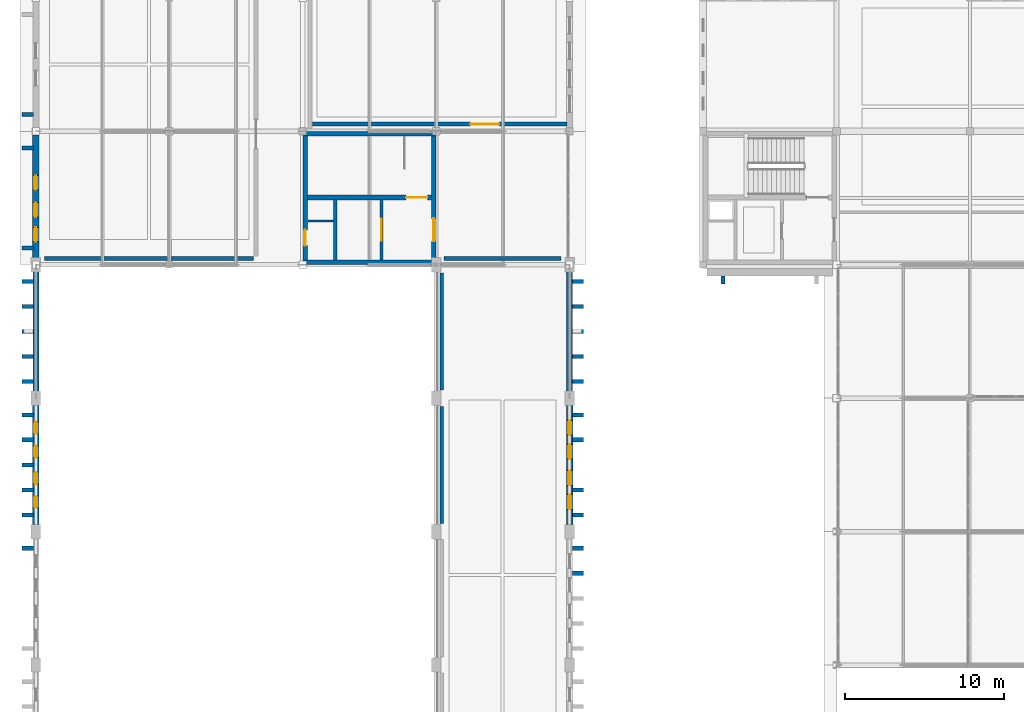
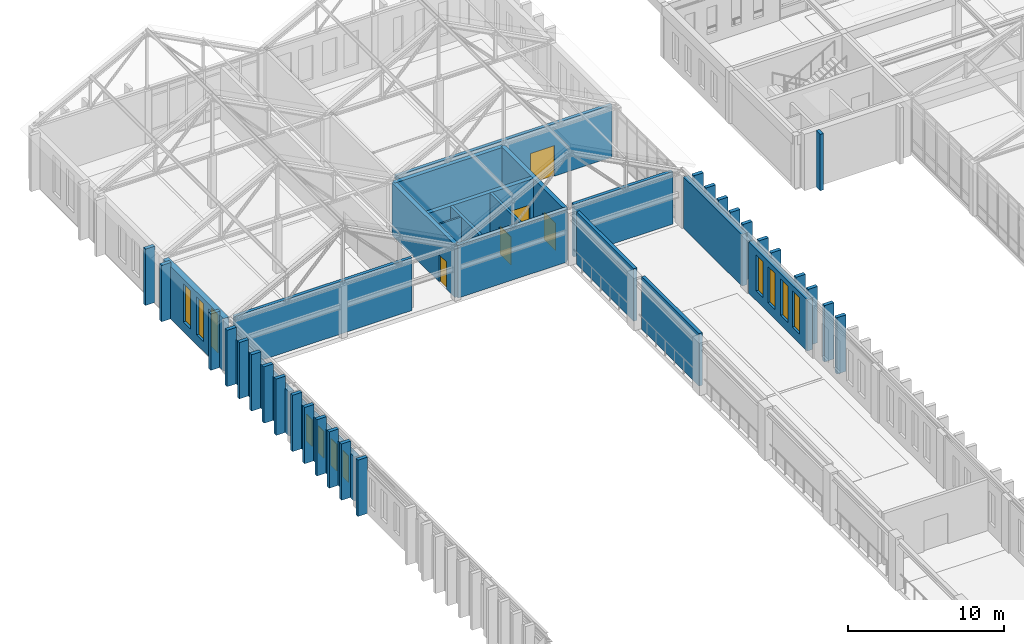
# One storey, part 165 of 192: 44 walls, 11 windows, 5 doors, 16 openings.
"""IFC4 building model written with IfcOpenShell, lengths in metres."""

import ifcopenshell
import ifcopenshell.guid

model = None  # the IFC model being written
_history = None  # IfcOwnerHistory: only IFC2X3 demands one
_inside = {}  # id of a spatial element -> (the spatial element, [elements in it])
_under = {}  # id of a project, library or spatial element -> (it, [spatial elements below it])
_declared = {}  # id of a project -> (the project, [libraries it declares])
_typed = {}  # id of a type object -> (the type object, [elements of that type])
_made_of = {}  # id of a material, layer set ... -> (it, [elements and type objects made of it])


def new_model(schema):
    """Start an empty IFC model of exactly this schema.

    Asked for "IFC4X3", IfcOpenShell would pick the latest addendum, in which some entities
    have other attributes; the version numbers below select the first issue.
    IFC2X3 requires an IfcOwnerHistory on every rooted entity: one is made here for all.
    """
    global model, _history
    if schema == "IFC4X3":
        model = ifcopenshell.file(schema_version=(4, 3, 0, 0))
    else:
        model = ifcopenshell.file(schema=schema)
    _inside.clear()
    _under.clear()
    _declared.clear()
    _typed.clear()
    _made_of.clear()
    _history = None
    if model.schema == "IFC2X3":
        org = make("IfcOrganization", Name="unknown")
        user = make(
            "IfcPersonAndOrganization",
            ThePerson=make("IfcPerson", FamilyName="unknown"),
            TheOrganization=org,
        )
        app = make(
            "IfcApplication",
            ApplicationDeveloper=org,
            Version="unknown",
            ApplicationFullName="unknown",
            ApplicationIdentifier="unknown",
        )
        _history = make(
            "IfcOwnerHistory",
            OwningUser=user,
            OwningApplication=app,
            ChangeAction="ADDED",
            CreationDate=0,
        )
    return model


def make(cls, **values):
    """One entity of the class cls with the attributes given. An attribute that is None is left unset."""
    return model.create_entity(
        cls, **{name: value for name, value in values.items() if value is not None}
    )


def rooted(cls, **values):
    """An entity with a GlobalId (a new one), such as an element, a storey or a relation."""
    return make(cls, GlobalId=ifcopenshell.guid.new(), OwnerHistory=_history, **values)


def si_unit(unit_type, name, prefix=None):
    """IfcSIUnit, for example si_unit("LENGTHUNIT", "METRE", prefix="MILLI")."""
    return make("IfcSIUnit", UnitType=unit_type, Prefix=prefix, Name=name)


def assignment(units):
    """IfcUnitAssignment: the units of a project."""
    return None if units is None else make("IfcUnitAssignment", Units=units)


def point(xyz):
    """IfcCartesianPoint."""
    return None if xyz is None else make("IfcCartesianPoint", Coordinates=xyz)


def direction(xyz):
    """IfcDirection."""
    return None if xyz is None else make("IfcDirection", DirectionRatios=xyz)


def frame(location, z_axis=None, x_axis=None):
    """IfcAxis2Placement3D, a coordinate frame: its origin and axes. An axis left out is left unset."""
    return make(
        "IfcAxis2Placement3D",
        Location=point(location),
        Axis=direction(z_axis),
        RefDirection=direction(x_axis),
    )


def frame_2d(location, x_axis=None):
    """IfcAxis2Placement2D, a coordinate frame in the plane: its origin and x axis."""
    return make(
        "IfcAxis2Placement2D", Location=point(location), RefDirection=direction(x_axis)
    )


def origin():
    """The frame at (0, 0, 0) with its axes left unset."""
    return frame((0.0, 0.0, 0.0))


def place(relative_to, where):
    """IfcLocalPlacement: puts the frame where relative to a parent placement (None: the world)."""
    return make(
        "IfcLocalPlacement", PlacementRelTo=relative_to, RelativePlacement=where
    )


def context(
    kind, dimensions, precision=None, world=None, true_north=None, identifier=None
):
    """IfcGeometricRepresentationContext, for example the 3D "Model" context."""
    return make(
        "IfcGeometricRepresentationContext",
        ContextIdentifier=identifier,
        ContextType=kind,
        CoordinateSpaceDimension=dimensions,
        Precision=precision,
        WorldCoordinateSystem=world,
        TrueNorth=true_north,
    )


def subcontext(parent, identifier, kind, view, scale=None):
    """IfcGeometricRepresentationSubContext, for example "Body" below "Model"."""
    return make(
        "IfcGeometricRepresentationSubContext",
        ContextIdentifier=identifier,
        ContextType=kind,
        ParentContext=parent,
        TargetScale=scale,
        TargetView=view,
    )


def project(units=None, contexts=None):
    """IfcProject with its units and contexts."""
    return rooted(
        "IfcProject",
        Name="project",
        RepresentationContexts=contexts,
        UnitsInContext=assignment(units),
    )


def spatial(cls, under=None, at=None, **own):
    """A site, building, storey or space (cls), placed at a placement, below another one or the project."""
    s = rooted(cls, ObjectPlacement=at, **own)
    if under is not None:
        _under.setdefault(under.id(), (under, []))[1].append(s)
    return s


def profile(cls, at=None, kind="AREA", **sizes):
    """A parametric profile (cls). Its sizes go by their IFC names, for example OverallWidth=200.0."""
    return make(cls, ProfileType=kind, Position=at, **sizes)


def rectangle(**sizes):
    """IfcRectangleProfileDef."""
    return profile("IfcRectangleProfileDef", **sizes)


def extrude(swept, where, along, depth):
    """IfcExtrudedAreaSolid: the profile swept, set in the frame where, extruded along a direction by depth."""
    return make(
        "IfcExtrudedAreaSolid",
        SweptArea=swept,
        Position=where,
        ExtrudedDirection=direction(along),
        Depth=depth,
    )


def shape(context_of_items, identifier, shape_type, items):
    """IfcShapeRepresentation: the items that make up one representation, for example the "Body"."""
    return make(
        "IfcShapeRepresentation",
        ContextOfItems=context_of_items,
        RepresentationIdentifier=identifier,
        RepresentationType=shape_type,
        Items=items,
    )


def material(Name=None, Category=None):
    """IfcMaterial."""
    return make("IfcMaterial", Name=Name, Category=Category)


def layer(
    of_material, thickness, ventilated=None, Name=None, Category=None, Priority=None
):
    """IfcMaterialLayer: one layer of a wall or slab, of a material (None: an air gap)."""
    return make(
        "IfcMaterialLayer",
        Material=of_material,
        LayerThickness=thickness,
        IsVentilated=ventilated,
        Name=Name,
        Category=Category,
        Priority=Priority,
    )


def layer_set(layers, Name=None):
    """IfcMaterialLayerSet."""
    return make("IfcMaterialLayerSet", MaterialLayers=layers, LayerSetName=Name)


def made_of(thing, what):
    """Note that an element or type object is made of a material, layer set ...; save() writes the relation."""
    if what is not None:
        _made_of.setdefault(what.id(), (what, []))[1].append(thing)
    return thing


def type_object(cls, material=None, **own):
    """A type object (cls), such as IfcWallType, which elements share."""
    return made_of(rooted(cls, **own), material)


def element(
    cls,
    number,
    at=None,
    inside=None,
    cuts=None,
    type_object=None,
    material=None,
    context=None,
    identifier="Body",
    shape_type=None,
    held_by="IfcProductDefinitionShape",
    body=None,
    shapes=None,
    **own,
):
    """One element of the class cls, such as IfcWall. Its Tag is "e" and its number.

    at: its placement. inside: the storey or other place that contains it. cuts: it is an
    opening in that element (IfcRelVoidsElement). A single representation is given by context,
    identifier, shape_type and body (its items); several are given by shapes. held_by: the class
    of the entity that holds the representations. save() writes the other relations.
    """
    e = rooted(cls, Tag="e%d" % number, ObjectPlacement=at, **own)
    if body is not None:
        shapes = [shape(context, identifier, shape_type, body)]
    if shapes is not None:
        e.Representation = make(held_by, Representations=shapes)
    if inside is not None:
        _inside.setdefault(inside.id(), (inside, []))[1].append(e)
    if cuts is not None:
        rooted(
            "IfcRelVoidsElement", RelatingBuildingElement=cuts, RelatedOpeningElement=e
        )
    if type_object is not None:
        _typed.setdefault(type_object.id(), (type_object, []))[1].append(e)
    return made_of(e, material)


def fill(opening, filler):
    """IfcRelFillsElement: the door or window that sits in an opening."""
    return rooted(
        "IfcRelFillsElement",
        RelatingOpeningElement=opening,
        RelatedBuildingElement=filler,
    )


def aggregate(whole, parts):
    """IfcRelAggregates: a whole, such as a stair, and the parts it consists of."""
    return rooted("IfcRelAggregates", RelatingObject=whole, RelatedObjects=parts)


def save(model, path):
    """Write the relations noted so far, then the file.

    IfcRelAggregates (storeys below a building ...), IfcRelContainedInSpatialStructure (elements
    in a storey), IfcRelDefinesByType, IfcRelAssociatesMaterial and IfcRelDeclares: one each for
    every whole, place, type object, material and project.
    """
    for whole, parts in _under.values():
        aggregate(whole, parts)
    for where, things in _inside.values():
        rooted(
            "IfcRelContainedInSpatialStructure",
            RelatedElements=things,
            RelatingStructure=where,
        )
    for kind, things in _typed.values():
        rooted("IfcRelDefinesByType", RelatedObjects=things, RelatingType=kind)
    for what, things in _made_of.values():
        rooted("IfcRelAssociatesMaterial", RelatedObjects=things, RelatingMaterial=what)
    for by, libraries in _declared.values():
        rooted("IfcRelDeclares", RelatingContext=by, RelatedDefinitions=libraries)
    model.write(path)


model = new_model("IFC4")

# Units and contexts
model_context = context("Model", 3, precision=1e-05, world=origin(), true_north=direction((0.0, 1.0)))
body_context = subcontext(model_context, "Body", "Model", "MODEL_VIEW")
ifc_project = project(units=[si_unit("LENGTHUNIT", "METRE"), si_unit("AREAUNIT", "SQUARE_METRE"), si_unit("VOLUMEUNIT", "CUBIC_METRE"), si_unit("PLANEANGLEUNIT", "RADIAN"), si_unit("MASSUNIT", "GRAM", prefix="KILO")], contexts=[model_context])

# Site, building, storey
site_placement = place(None, origin())
site = spatial("IfcSite", under=ifc_project, at=site_placement, CompositionType="ELEMENT")
building_placement = place(site_placement, origin())
building = spatial("IfcBuilding", under=site, at=building_placement, Name="Kveldsbrygga Polytechnic", CompositionType="ELEMENT")
storey_placement = place(building_placement, frame((0.0, 0.0, 5.43994140625)))
storey = spatial("IfcBuildingStorey", under=building, at=storey_placement, Name="L01", CompositionType="ELEMENT", Elevation=5.43994140625)

# Walls
ifc_material_1 = material(Name="Fired clay brick masonry M10", Category="masonry")
ifc_layer_1 = layer(ifc_material_1, 0.3798828125)
ifc_layer_set_1 = layer_set([ifc_layer_1], Name="Fired clay brick masonry M10")
wall_type_1 = type_object("IfcWallType", Name="EW-BRICK-380", PredefinedType="SOLIDWALL", material=ifc_layer_set_1)
wall_1_placement = place(storey_placement, frame((0.0, 76.034912109375, 0.0), z_axis=(0.0, 0.0, 1.0), x_axis=(0.0, 1.0, 0.0)))
element("IfcWall", 1, at=wall_1_placement, inside=storey, type_object=wall_type_1, Name="Exterior Brick Wall EW-L01-Y-00-09", PredefinedType="SOLIDWALL", context=body_context, shape_type="SweptSolid", body=[
    extrude(rectangle(XDim=7.530029296875, YDim=0.3798828125, at=frame_2d((3.76513671875, 0.0))), origin(), (0.0, 0.0, 1.0), 3.4599609375),
])
wall_2_placement = place(storey_placement, frame((33.60009765625, 76.034912109375, 0.0), z_axis=(0.0, 0.0, 1.0), x_axis=(0.0, 1.0, 0.0)))
element("IfcWall", 2, at=wall_2_placement, inside=storey, type_object=wall_type_1, Name="Exterior Brick Wall EW-L01-Y-04-09", PredefinedType="SOLIDWALL", context=body_context, shape_type="SweptSolid", body=[
    extrude(rectangle(XDim=7.530029296875, YDim=0.3798828125, at=frame_2d((3.76513671875, 0.0))), origin(), (0.0, 0.0, 1.0), 4.02001953125),
])

# Wall, openings, windows
ifc_layer_2 = layer(ifc_material_1, 0.39990234375)
ifc_layer_set_2 = layer_set([ifc_layer_2], Name="Fired clay brick masonry M10")
wall_type_2 = type_object("IfcWallType", Name="EW-BRICK-400", PredefinedType="SOLIDWALL", material=ifc_layer_set_2)
wall_3_placement = place(storey_placement, frame((0.0, 67.635009765625, 0.0), z_axis=(0.0, 0.0, 1.0), x_axis=(0.0, 1.0, 0.0)))
wall_3 = element("IfcWall", 3, at=wall_3_placement, inside=storey, type_object=wall_type_2, Name="Exterior Brick Wall EW-L01-Y-00-08", PredefinedType="SOLIDWALL", context=body_context, shape_type="SweptSolid", body=[
    extrude(rectangle(XDim=7.530029296875, YDim=0.39990234375, at=frame_2d((3.76513671875, 0.0))), origin(), (0.0, 0.0, 1.0), 3.4599609375),
])
opening_1_placement = place(wall_3_placement, frame((1.0556640625, 0.0, 0.75)))
opening_1 = element("IfcOpeningElement", 4, at=opening_1_placement, cuts=wall_3, Name="Opening W-27", PredefinedType="OPENING", context=body_context, shape_type="SweptSolid", body=[
    extrude(rectangle(XDim=0.75, YDim=2.10009765625, at=frame_2d((0.375, 1.050048828125))), frame((0.0, 0.2099609375, 0.0), z_axis=(0.0, -1.0, 0.0), x_axis=(1.0, 0.0, 0.0)), (0.0, 0.0, 1.0), 0.419921875),
])
opening_2_placement = place(wall_3_placement, frame((2.561767578125, 0.0, 0.75)))
opening_2 = element("IfcOpeningElement", 5, at=opening_2_placement, cuts=wall_3, Name="Opening W-27", PredefinedType="OPENING", context=body_context, shape_type="SweptSolid", body=[
    extrude(rectangle(XDim=0.75, YDim=2.10009765625, at=frame_2d((0.375, 1.050048828125))), frame((0.0, 0.2099609375, 0.0), z_axis=(0.0, -1.0, 0.0), x_axis=(1.0, 0.0, 0.0)), (0.0, 0.0, 1.0), 0.419921875),
])
opening_3_placement = place(wall_3_placement, frame((4.21826171875, 0.0, 0.75)))
opening_3 = element("IfcOpeningElement", 6, at=opening_3_placement, cuts=wall_3, Name="Opening W-27", PredefinedType="OPENING", context=body_context, shape_type="SweptSolid", body=[
    extrude(rectangle(XDim=0.75, YDim=2.10009765625, at=frame_2d((0.375, 1.050048828125))), frame((0.0, 0.2099609375, 0.0), z_axis=(0.0, -1.0, 0.0), x_axis=(1.0, 0.0, 0.0)), (0.0, 0.0, 1.0), 0.419921875),
])
opening_4_placement = place(wall_3_placement, frame((5.724365234375, 0.0, 0.75)))
opening_4 = element("IfcOpeningElement", 7, at=opening_4_placement, cuts=wall_3, Name="Opening W-27", PredefinedType="OPENING", context=body_context, shape_type="SweptSolid", body=[
    extrude(rectangle(XDim=0.75, YDim=2.10009765625, at=frame_2d((0.375, 1.050048828125))), frame((0.0, 0.2099609375, 0.0), z_axis=(0.0, -1.0, 0.0), x_axis=(1.0, 0.0, 0.0)), (0.0, 0.0, 1.0), 0.419921875),
])
ifc_material_2 = material(Name="Insulated triple low-E glass", Category="glass")
window_type_1 = type_object("IfcWindowType", Name="WN-ATTIC-075x210", PartitioningType="DOUBLE_PANEL_VERTICAL", PredefinedType="WINDOW", material=ifc_material_2)
window_1_placement = place(opening_1_placement, origin())
window_1 = element("IfcWindow", 8, at=window_1_placement, inside=storey, type_object=window_type_1, Name="Gothic Lancet Window WIN-L01-Y-00-08-1", OverallHeight=2.10009765625, OverallWidth=0.75, PartitioningType="DOUBLE_PANEL_VERTICAL", PredefinedType="WINDOW", context=body_context, shape_type="SweptSolid", body=[
    extrude(rectangle(XDim=0.75, YDim=2.10009765625, at=frame_2d((0.375, 1.050048828125))), frame((0.0, 0.030029296875, 0.0), z_axis=(0.0, -1.0, 0.0), x_axis=(1.0, 0.0, 0.0)), (0.0, 0.0, 1.0), 0.06005859375),
])
fill(opening_1, window_1)
window_2_placement = place(opening_2_placement, origin())
window_2 = element("IfcWindow", 9, at=window_2_placement, inside=storey, type_object=window_type_1, Name="Gothic Lancet Window WIN-L01-Y-00-08-2", OverallHeight=2.10009765625, OverallWidth=0.75, PartitioningType="DOUBLE_PANEL_VERTICAL", PredefinedType="WINDOW", context=body_context, shape_type="SweptSolid", body=[
    extrude(rectangle(XDim=0.75, YDim=2.10009765625, at=frame_2d((0.375, 1.050048828125))), frame((0.0, 0.030029296875, 0.0), z_axis=(0.0, -1.0, 0.0), x_axis=(1.0, 0.0, 0.0)), (0.0, 0.0, 1.0), 0.06005859375),
])
fill(opening_2, window_2)
window_3_placement = place(opening_3_placement, origin())
window_3 = element("IfcWindow", 10, at=window_3_placement, inside=storey, type_object=window_type_1, Name="Gothic Lancet Window WIN-L01-Y-00-08-3", OverallHeight=2.10009765625, OverallWidth=0.75, PartitioningType="DOUBLE_PANEL_VERTICAL", PredefinedType="WINDOW", context=body_context, shape_type="SweptSolid", body=[
    extrude(rectangle(XDim=0.75, YDim=2.10009765625, at=frame_2d((0.375, 1.050048828125))), frame((0.0, 0.030029296875, 0.0), z_axis=(0.0, -1.0, 0.0), x_axis=(1.0, 0.0, 0.0)), (0.0, 0.0, 1.0), 0.06005859375),
])
fill(opening_3, window_3)
window_4_placement = place(opening_4_placement, origin())
window_4 = element("IfcWindow", 11, at=window_4_placement, inside=storey, type_object=window_type_1, Name="Gothic Lancet Window WIN-L01-Y-00-08-4", OverallHeight=2.10009765625, OverallWidth=0.75, PartitioningType="DOUBLE_PANEL_VERTICAL", PredefinedType="WINDOW", context=body_context, shape_type="SweptSolid", body=[
    extrude(rectangle(XDim=0.75, YDim=2.10009765625, at=frame_2d((0.375, 1.050048828125))), frame((0.0, 0.030029296875, 0.0), z_axis=(0.0, -1.0, 0.0), x_axis=(1.0, 0.0, 0.0)), (0.0, 0.0, 1.0), 0.06005859375),
])
fill(opening_4, window_4)

wall_4_placement = place(storey_placement, frame((0.0, 84.43505859375, 0.0), z_axis=(0.0, 0.0, 1.0), x_axis=(0.0, 1.0, 0.0)))
wall_4 = element("IfcWall", 12, at=wall_4_placement, inside=storey, type_object=wall_type_2, Name="Exterior Brick Wall EW-L01-Y-00-10", PredefinedType="SOLIDWALL", context=body_context, shape_type="SweptSolid", body=[
    extrude(rectangle(XDim=7.739990234375, YDim=0.39990234375, at=frame_2d((3.8701171875, 0.0))), origin(), (0.0, 0.0, 1.0), 4.1201171875),
])
opening_5_placement = place(wall_4_placement, frame((1.0205078125, 0.0, 0.75)))
opening_5 = element("IfcOpeningElement", 13, at=opening_5_placement, cuts=wall_4, Name="Opening W-19", PredefinedType="OPENING", context=body_context, shape_type="SweptSolid", body=[
    extrude(rectangle(XDim=0.89990234375, YDim=3.0, at=frame_2d((0.449951171875, 1.5))), frame((0.0, 0.2099609375, 0.0), z_axis=(0.0, -1.0, 0.0), x_axis=(1.0, 0.0, 0.0)), (0.0, 0.0, 1.0), 0.419921875),
])
opening_6_placement = place(wall_4_placement, frame((2.568603515625, 0.0, 0.75)))
opening_6 = element("IfcOpeningElement", 14, at=opening_6_placement, cuts=wall_4, Name="Opening W-19", PredefinedType="OPENING", context=body_context, shape_type="SweptSolid", body=[
    extrude(rectangle(XDim=0.89990234375, YDim=3.0, at=frame_2d((0.449951171875, 1.5))), frame((0.0, 0.2099609375, 0.0), z_axis=(0.0, -1.0, 0.0), x_axis=(1.0, 0.0, 0.0)), (0.0, 0.0, 1.0), 0.419921875),
])
opening_7_placement = place(wall_4_placement, frame((4.271484375, 0.0, 0.75)))
opening_7 = element("IfcOpeningElement", 15, at=opening_7_placement, cuts=wall_4, Name="Opening W-19", PredefinedType="OPENING", context=body_context, shape_type="SweptSolid", body=[
    extrude(rectangle(XDim=0.89990234375, YDim=3.0, at=frame_2d((0.449951171875, 1.5))), frame((0.0, 0.2099609375, 0.0), z_axis=(0.0, -1.0, 0.0), x_axis=(1.0, 0.0, 0.0)), (0.0, 0.0, 1.0), 0.419921875),
])
window_type_2 = type_object("IfcWindowType", Name="WN-LANC-090x300", PartitioningType="DOUBLE_PANEL_VERTICAL", PredefinedType="WINDOW", material=ifc_material_2)
window_5_placement = place(opening_5_placement, origin())
window_5 = element("IfcWindow", 16, at=window_5_placement, inside=storey, type_object=window_type_2, Name="Gothic Lancet Window WIN-L01-Y-00-10-1", OverallHeight=3.0, OverallWidth=0.89990234375, PartitioningType="DOUBLE_PANEL_VERTICAL", PredefinedType="WINDOW", context=body_context, shape_type="SweptSolid", body=[
    extrude(rectangle(XDim=0.89990234375, YDim=3.0, at=frame_2d((0.449951171875, 1.5))), frame((0.0, 0.030029296875, 0.0), z_axis=(0.0, -1.0, 0.0), x_axis=(1.0, 0.0, 0.0)), (0.0, 0.0, 1.0), 0.06005859375),
])
fill(opening_5, window_5)
window_6_placement = place(opening_6_placement, origin())
window_6 = element("IfcWindow", 17, at=window_6_placement, inside=storey, type_object=window_type_2, Name="Gothic Lancet Window WIN-L01-Y-00-10-2", OverallHeight=3.0, OverallWidth=0.89990234375, PartitioningType="DOUBLE_PANEL_VERTICAL", PredefinedType="WINDOW", context=body_context, shape_type="SweptSolid", body=[
    extrude(rectangle(XDim=0.89990234375, YDim=3.0, at=frame_2d((0.449951171875, 1.5))), frame((0.0, 0.030029296875, 0.0), z_axis=(0.0, -1.0, 0.0), x_axis=(1.0, 0.0, 0.0)), (0.0, 0.0, 1.0), 0.06005859375),
])
fill(opening_6, window_6)
window_7_placement = place(opening_7_placement, origin())
window_7 = element("IfcWindow", 18, at=window_7_placement, inside=storey, type_object=window_type_2, Name="Gothic Lancet Window WIN-L01-Y-00-10-3", OverallHeight=3.0, OverallWidth=0.89990234375, PartitioningType="DOUBLE_PANEL_VERTICAL", PredefinedType="WINDOW", context=body_context, shape_type="SweptSolid", body=[
    extrude(rectangle(XDim=0.89990234375, YDim=3.0, at=frame_2d((0.449951171875, 1.5))), frame((0.0, 0.030029296875, 0.0), z_axis=(0.0, -1.0, 0.0), x_axis=(1.0, 0.0, 0.0)), (0.0, 0.0, 1.0), 0.06005859375),
])
fill(opening_7, window_7)

wall_5_placement = place(storey_placement, frame((33.60009765625, 67.635009765625, 0.0), z_axis=(0.0, 0.0, 1.0), x_axis=(0.0, 1.0, 0.0)))
wall_5 = element("IfcWall", 19, at=wall_5_placement, inside=storey, type_object=wall_type_2, Name="Exterior Brick Wall EW-L01-Y-04-08", PredefinedType="SOLIDWALL", context=body_context, shape_type="SweptSolid", body=[
    extrude(rectangle(XDim=7.530029296875, YDim=0.39990234375, at=frame_2d((3.76513671875, 0.0))), origin(), (0.0, 0.0, 1.0), 4.02001953125),
])
opening_8_placement = place(wall_5_placement, frame((0.970703125, 0.0, 0.75)))
opening_8 = element("IfcOpeningElement", 20, at=opening_8_placement, cuts=wall_5, Name="Opening W-21", PredefinedType="OPENING", context=body_context, shape_type="SweptSolid", body=[
    extrude(rectangle(XDim=0.919921875, YDim=2.85009765625, at=frame_2d((0.4599609375, 1.425048828125))), frame((0.0, 0.2099609375, 0.0), z_axis=(0.0, -1.0, 0.0), x_axis=(1.0, 0.0, 0.0)), (0.0, 0.0, 1.0), 0.419921875),
])
opening_9_placement = place(wall_5_placement, frame((2.476806640625, 0.0, 0.75)))
opening_9 = element("IfcOpeningElement", 21, at=opening_9_placement, cuts=wall_5, Name="Opening W-21", PredefinedType="OPENING", context=body_context, shape_type="SweptSolid", body=[
    extrude(rectangle(XDim=0.919921875, YDim=2.85009765625, at=frame_2d((0.4599609375, 1.425048828125))), frame((0.0, 0.2099609375, 0.0), z_axis=(0.0, -1.0, 0.0), x_axis=(1.0, 0.0, 0.0)), (0.0, 0.0, 1.0), 0.419921875),
])
opening_10_placement = place(wall_5_placement, frame((4.13330078125, 0.0, 0.75)))
opening_10 = element("IfcOpeningElement", 22, at=opening_10_placement, cuts=wall_5, Name="Opening W-21", PredefinedType="OPENING", context=body_context, shape_type="SweptSolid", body=[
    extrude(rectangle(XDim=0.919921875, YDim=2.85009765625, at=frame_2d((0.4599609375, 1.425048828125))), frame((0.0, 0.2099609375, 0.0), z_axis=(0.0, -1.0, 0.0), x_axis=(1.0, 0.0, 0.0)), (0.0, 0.0, 1.0), 0.419921875),
])
opening_11_placement = place(wall_5_placement, frame((5.639404296875, 0.0, 0.75)))
opening_11 = element("IfcOpeningElement", 23, at=opening_11_placement, cuts=wall_5, Name="Opening W-21", PredefinedType="OPENING", context=body_context, shape_type="SweptSolid", body=[
    extrude(rectangle(XDim=0.919921875, YDim=2.85009765625, at=frame_2d((0.4599609375, 1.425048828125))), frame((0.0, 0.2099609375, 0.0), z_axis=(0.0, -1.0, 0.0), x_axis=(1.0, 0.0, 0.0)), (0.0, 0.0, 1.0), 0.419921875),
])
window_type_3 = type_object("IfcWindowType", Name="WN-LANC-092x285", PartitioningType="DOUBLE_PANEL_VERTICAL", PredefinedType="WINDOW", material=ifc_material_2)
window_8_placement = place(opening_8_placement, origin())
window_8 = element("IfcWindow", 24, at=window_8_placement, inside=storey, type_object=window_type_3, Name="Gothic Lancet Window WIN-L01-Y-04-08-1", OverallHeight=2.85009765625, OverallWidth=0.919921875, PartitioningType="DOUBLE_PANEL_VERTICAL", PredefinedType="WINDOW", context=body_context, shape_type="SweptSolid", body=[
    extrude(rectangle(XDim=0.919921875, YDim=2.85009765625, at=frame_2d((0.4599609375, 1.425048828125))), frame((0.0, 0.030029296875, 0.0), z_axis=(0.0, -1.0, 0.0), x_axis=(1.0, 0.0, 0.0)), (0.0, 0.0, 1.0), 0.06005859375),
])
fill(opening_8, window_8)
window_9_placement = place(opening_9_placement, origin())
window_9 = element("IfcWindow", 25, at=window_9_placement, inside=storey, type_object=window_type_3, Name="Gothic Lancet Window WIN-L01-Y-04-08-2", OverallHeight=2.85009765625, OverallWidth=0.919921875, PartitioningType="DOUBLE_PANEL_VERTICAL", PredefinedType="WINDOW", context=body_context, shape_type="SweptSolid", body=[
    extrude(rectangle(XDim=0.919921875, YDim=2.85009765625, at=frame_2d((0.4599609375, 1.425048828125))), frame((0.0, 0.030029296875, 0.0), z_axis=(0.0, -1.0, 0.0), x_axis=(1.0, 0.0, 0.0)), (0.0, 0.0, 1.0), 0.06005859375),
])
fill(opening_9, window_9)
window_10_placement = place(opening_10_placement, origin())
window_10 = element("IfcWindow", 26, at=window_10_placement, inside=storey, type_object=window_type_3, Name="Gothic Lancet Window WIN-L01-Y-04-08-3", OverallHeight=2.85009765625, OverallWidth=0.919921875, PartitioningType="DOUBLE_PANEL_VERTICAL", PredefinedType="WINDOW", context=body_context, shape_type="SweptSolid", body=[
    extrude(rectangle(XDim=0.919921875, YDim=2.85009765625, at=frame_2d((0.4599609375, 1.425048828125))), frame((0.0, 0.030029296875, 0.0), z_axis=(0.0, -1.0, 0.0), x_axis=(1.0, 0.0, 0.0)), (0.0, 0.0, 1.0), 0.06005859375),
])
fill(opening_10, window_10)
window_11_placement = place(opening_11_placement, origin())
window_11 = element("IfcWindow", 27, at=window_11_placement, inside=storey, type_object=window_type_3, Name="Gothic Lancet Window WIN-L01-Y-04-08-4", OverallHeight=2.85009765625, OverallWidth=0.919921875, PartitioningType="DOUBLE_PANEL_VERTICAL", PredefinedType="WINDOW", context=body_context, shape_type="SweptSolid", body=[
    extrude(rectangle(XDim=0.919921875, YDim=2.85009765625, at=frame_2d((0.4599609375, 1.425048828125))), frame((0.0, 0.030029296875, 0.0), z_axis=(0.0, -1.0, 0.0), x_axis=(1.0, 0.0, 0.0)), (0.0, 0.0, 1.0), 0.06005859375),
])
fill(opening_11, window_11)

# Walls
ifc_layer_3 = layer(ifc_material_1, 0.260009765625)
ifc_layer_set_3 = layer_set([ifc_layer_3], Name="Fired clay brick masonry M10")
wall_type_3 = type_object("IfcWallType", Name="EW-BUTT-260", PredefinedType="SOLIDWALL", material=ifc_layer_set_3)
for number, where, z_axis, x_axis, name in (
    (28, (-0.1650390625, 66.14990234375, 0.0), (0.0, 0.0, 1.0), (-1.0, 0.0, 0.0), "Gothic Brick Buttress Pier BUTT-L01-Y-00-07-5"),
    (29, (-0.1650390625, 68.25, 0.0), (0.0, 0.0, 1.0), (-1.0, 0.0, 0.0), "Gothic Brick Buttress Pier BUTT-L01-Y-00-08-1"),
    (30, (-0.1650390625, 69.820068359375, 0.0), (0.0, 0.0, 1.0), (-1.0, 0.0, 0.0), "Gothic Brick Buttress Pier BUTT-L01-Y-00-08-2"),
    (31, (-0.1650390625, 71.39990234375, 0.0), (0.0, 0.0, 1.0), (-1.0, 0.0, 0.0), "Gothic Brick Buttress Pier BUTT-L01-Y-00-08-3"),
    (32, (-0.1650390625, 72.97998046875, 0.0), (0.0, 0.0, 1.0), (-1.0, 0.0, 0.0), "Gothic Brick Buttress Pier BUTT-L01-Y-00-08-4"),
    (33, (-0.1650390625, 74.550048828125, 0.0), (0.0, 0.0, 1.0), (-1.0, 0.0, 0.0), "Gothic Brick Buttress Pier BUTT-L01-Y-00-08-5"),
    (34, (-0.1650390625, 76.64990234375, 0.0), (0.0, 0.0, 1.0), (-1.0, 0.0, 0.0), "Gothic Brick Buttress Pier BUTT-L01-Y-00-09-1"),
    (35, (-0.1650390625, 78.219970703125, 0.0), (0.0, 0.0, 1.0), (-1.0, 0.0, 0.0), "Gothic Brick Buttress Pier BUTT-L01-Y-00-09-2"),
    (36, (-0.1650390625, 79.800048828125, 0.0), (0.0, 0.0, 1.0), (-1.0, 0.0, 0.0), "Gothic Brick Buttress Pier BUTT-L01-Y-00-09-3"),
    (37, (-0.1650390625, 81.3798828125, 0.0), (0.0, 0.0, 1.0), (-1.0, 0.0, 0.0), "Gothic Brick Buttress Pier BUTT-L01-Y-00-09-4"),
    (38, (-0.1650390625, 82.949951171875, 0.0), (0.0, 0.0, 1.0), (-1.0, 0.0, 0.0), "Gothic Brick Buttress Pier BUTT-L01-Y-00-09-5"),
    (39, (-0.1650390625, 85.050048828125, 0.0), (0.0, 0.0, 1.0), (-1.0, 0.0, 0.0), "Gothic Brick Buttress Pier BUTT-L01-Y-00-10-1"),
    (40, (-0.1650390625, 91.35009765625, 0.0), (0.0, 0.0, 1.0), (-1.0, 0.0, 0.0), "Gothic Brick Buttress Pier BUTT-L01-Y-00-10-5"),
    (41, (-0.1650390625, 93.449951171875, 0.0), (0.0, 0.0, 1.0), (-1.0, 0.0, 0.0), "Gothic Brick Buttress Pier BUTT-L01-Y-00-11-1"),
):
    element("IfcWall", number, at=place(storey_placement, frame(where, z_axis=z_axis, x_axis=x_axis)), inside=storey, type_object=wall_type_3, Name=name, PredefinedType="SOLIDWALL", context=body_context, shape_type="SweptSolid", body=[
        extrude(rectangle(XDim=0.699951171875, YDim=0.260009765625, at=frame_2d((0.35009765625, 0.0))), origin(), (0.0, 0.0, 1.0), 4.420166015625),
    ])
for number, where, z_axis, x_axis, name in (
    (42, (33.764892578125, 64.580078125, 0.0), (0.0, 0.0, 1.0), (1.0, 0.0, 0.0), "Gothic Brick Buttress Pier BUTT-L01-Y-04-07-4"),
    (43, (33.764892578125, 66.14990234375, 0.0), (0.0, 0.0, 1.0), (1.0, 0.0, 0.0), "Gothic Brick Buttress Pier BUTT-L01-Y-04-07-5"),
    (44, (33.764892578125, 68.25, 0.0), (0.0, 0.0, 1.0), (1.0, 0.0, 0.0), "Gothic Brick Buttress Pier BUTT-L01-Y-04-08-1"),
    (45, (33.764892578125, 69.820068359375, 0.0), (0.0, 0.0, 1.0), (1.0, 0.0, 0.0), "Gothic Brick Buttress Pier BUTT-L01-Y-04-08-2"),
    (46, (33.764892578125, 72.97998046875, 0.0), (0.0, 0.0, 1.0), (1.0, 0.0, 0.0), "Gothic Brick Buttress Pier BUTT-L01-Y-04-08-4"),
    (47, (33.764892578125, 74.550048828125, 0.0), (0.0, 0.0, 1.0), (1.0, 0.0, 0.0), "Gothic Brick Buttress Pier BUTT-L01-Y-04-08-5"),
    (48, (33.764892578125, 76.64990234375, 0.0), (0.0, 0.0, 1.0), (1.0, 0.0, 0.0), "Gothic Brick Buttress Pier BUTT-L01-Y-04-09-1"),
    (49, (33.764892578125, 78.219970703125, 0.0), (0.0, 0.0, 1.0), (1.0, 0.0, 0.0), "Gothic Brick Buttress Pier BUTT-L01-Y-04-09-2"),
    (50, (33.764892578125, 79.800048828125, 0.0), (0.0, 0.0, 1.0), (1.0, 0.0, 0.0), "Gothic Brick Buttress Pier BUTT-L01-Y-04-09-3"),
    (51, (33.764892578125, 81.3798828125, 0.0), (0.0, 0.0, 1.0), (1.0, 0.0, 0.0), "Gothic Brick Buttress Pier BUTT-L01-Y-04-09-4"),
    (52, (33.764892578125, 82.949951171875, 0.0), (0.0, 0.0, 1.0), (1.0, 0.0, 0.0), "Gothic Brick Buttress Pier BUTT-L01-Y-04-09-5"),
):
    element("IfcWall", number, at=place(storey_placement, frame(where, z_axis=z_axis, x_axis=x_axis)), inside=storey, type_object=wall_type_3, Name=name, PredefinedType="SOLIDWALL", context=body_context, shape_type="SweptSolid", body=[
        extrude(rectangle(XDim=0.7001953125, YDim=0.260009765625, at=frame_2d((0.35009765625, 0.0))), origin(), (0.0, 0.0, 1.0), 4.420166015625),
    ])
wall_6_placement = place(storey_placement, frame((43.25, 83.300048828125, 0.0), z_axis=(0.0, 0.0, 1.0), x_axis=(0.0, -1.0, 0.0)))
element("IfcWall", 53, at=wall_6_placement, inside=storey, type_object=wall_type_3, Name="Gothic Brick Buttress Pier BCLAS-L01-X-05-10-1", PredefinedType="SOLIDWALL", context=body_context, shape_type="SweptSolid", body=[
    extrude(rectangle(XDim=0.52001953125, YDim=0.260009765625, at=frame_2d((0.260009765625, 0.0))), origin(), (0.0, 0.0, 1.0), 4.420166015625),
])
ifc_layer_4 = layer(ifc_material_1, 0.239990234375)
ifc_layer_set_4 = layer_set([ifc_layer_4], Name="Fired clay brick masonry M10")
wall_type_4 = type_object("IfcWallType", Name="IW-COMP-240", PredefinedType="PARTITIONING", material=ifc_layer_set_4)
wall_7_placement = place(storey_placement, frame((25.699951171875, 84.39990234375, 0.0), z_axis=(0.0, 0.0, 1.0), x_axis=(1.0, 0.0, 0.0)))
element("IfcWall", 54, at=wall_7_placement, inside=storey, type_object=wall_type_4, Name="Partition Wall IW-SP-L01-WKGAL-N1", PredefinedType="PARTITIONING", context=body_context, shape_type="SweptSolid", body=[
    extrude(rectangle(XDim=7.35009765625, YDim=0.239990234375, at=frame_2d((3.675048828125, 0.0))), origin(), (0.0, 0.0, 1.0), 4.1201171875),
])
wall_8_placement = place(storey_placement, frame((25.550048828125, 67.7099609375, 0.0), z_axis=(0.0, 0.0, 1.0), x_axis=(0.0, 1.0, 0.0)))
element("IfcWall", 55, at=wall_8_placement, inside=storey, type_object=wall_type_4, Name="Partition Wall IW-SP-L01-WKGAL-W4", PredefinedType="PARTITIONING", context=body_context, shape_type="SweptSolid", body=[
    extrude(rectangle(XDim=7.380126953125, YDim=0.239990234375, at=frame_2d((3.68994140625, 0.0))), origin(), (0.0, 0.0, 1.0), 4.1201171875),
])
wall_9_placement = place(storey_placement, frame((25.550048828125, 76.110107421875, 0.0), z_axis=(0.0, 0.0, 1.0), x_axis=(0.0, 1.0, 0.0)))
element("IfcWall", 56, at=wall_9_placement, inside=storey, type_object=wall_type_4, Name="Partition Wall IW-SP-L01-WKGAL-W5", PredefinedType="PARTITIONING", context=body_context, shape_type="SweptSolid", body=[
    extrude(rectangle(XDim=7.3798828125, YDim=0.239990234375, at=frame_2d((3.68994140625, 0.0))), origin(), (0.0, 0.0, 1.0), 4.1201171875),
])
wall_10_placement = place(storey_placement, frame((0.550048828125, 84.39990234375, 0.0), z_axis=(0.0, 0.0, 1.0), x_axis=(1.0, 0.0, 0.0)))
element("IfcWall", 57, at=wall_10_placement, inside=storey, type_object=wall_type_4, Name="Partition Wall IW-SP-L01-WK3W-S1", PredefinedType="PARTITIONING", context=body_context, shape_type="SweptSolid", body=[
    extrude(rectangle(XDim=13.14990234375, YDim=0.239990234375, at=frame_2d((6.574951171875, 0.0))), origin(), (0.0, 0.0, 1.0), 4.1201171875),
])

# Wall, opening, door
wall_11_placement = place(storey_placement, frame((17.39990234375, 92.85009765625, 0.0), z_axis=(0.0, 0.0, 1.0), x_axis=(1.0, 0.0, 0.0)))
wall_11 = element("IfcWall", 58, at=wall_11_placement, inside=storey, type_object=wall_type_4, Name="Partition Wall IW-SP-L01-WK3-S1", PredefinedType="PARTITIONING", context=body_context, shape_type="SweptSolid", body=[
    extrude(rectangle(XDim=16.02001953125, YDim=0.239990234375, at=frame_2d((8.010009765625, 0.0))), origin(), (0.0, 0.0, 1.0), 4.1201171875),
])
opening_12_placement = place(wall_11_placement, frame((9.9541015625, 0.0, 0.0)))
opening_12 = element("IfcOpeningElement", 59, at=opening_12_placement, cuts=wall_11, Name="Opening ID-L01-043", PredefinedType="OPENING", context=body_context, shape_type="SweptSolid", body=[
    extrude(rectangle(XDim=1.800048828125, YDim=2.39990234375, at=frame_2d((0.89990234375, 1.199951171875))), frame((0.0, 0.1298828125, 0.0), z_axis=(0.0, -1.0, 0.0), x_axis=(1.0, 0.0, 0.0)), (0.0, 0.0, 1.0), 0.260009765625),
])
ifc_material_3 = material(Name="Powder-coated galvanised steel", Category="steel")
door_type_1 = type_object("IfcDoorType", Name="ID-WRK-180x240", OperationType="DOUBLE_DOOR_SINGLE_SWING", PredefinedType="DOOR", material=ifc_material_3)
door_1_placement = place(opening_12_placement, origin())
door_1 = element("IfcDoor", 60, at=door_1_placement, inside=storey, type_object=door_type_1, Name="Interior Door ID-L01-043", OperationType="DOUBLE_DOOR_SINGLE_SWING", OverallHeight=2.39990234375, OverallWidth=1.800048828125, PredefinedType="DOOR", context=body_context, shape_type="SweptSolid", body=[
    extrude(rectangle(XDim=1.800048828125, YDim=2.39990234375, at=frame_2d((0.89990234375, 1.199951171875))), frame((0.0, 0.02490234375, 0.0), z_axis=(0.0, -1.0, 0.0), x_axis=(1.0, 0.0, 0.0)), (0.0, 0.0, 1.0), 0.050048828125),
])
fill(opening_12, door_1)

# Walls
ifc_material_4 = material(Name="Moisture-resistant masonry M10", Category="masonry")
ifc_layer_5 = layer(ifc_material_4, 0.1298828125)
ifc_layer_set_5 = layer_set([ifc_layer_5], Name="Moisture-resistant masonry M10")
wall_type_5 = type_object("IfcWallType", Name="IW-SAN-130", PredefinedType="PARTITIONING", material=ifc_layer_set_5)
wall_12_placement = place(storey_placement, frame((17.1201171875, 86.739990234375, 0.0), z_axis=(0.0, 0.0, 1.0), x_axis=(1.0, 0.0, 0.0)))
element("IfcWall", 61, at=wall_12_placement, inside=storey, type_object=wall_type_5, Name="Core AWC Divider C8-L01-W-RSR", PredefinedType="PARTITIONING", context=body_context, shape_type="SweptSolid", body=[
    extrude(rectangle(XDim=1.619873046875, YDim=0.1298828125, at=frame_2d((0.81005859375, 0.0))), origin(), (0.0, 0.0, 1.0), 4.1201171875),
])
ifc_material_5 = material(Name="Concrete C45/55", Category="concrete")
ifc_layer_6 = layer(ifc_material_5, 0.300048828125)
ifc_layer_set_6 = layer_set([ifc_layer_6], Name="Concrete C45/55")
wall_type_6 = type_object("IfcWallType", Name="WL-CORE-300", PredefinedType="SHEAR", material=ifc_layer_set_6)
for number, where, z_axis, x_axis, name in (
    (62, (16.949951171875, 84.14990234375, 0.0), (0.0, 0.0, 1.0), (1.0, 0.0, 0.0), "Core C8 Shear Wall C8-L01-SW-S"),
    (63, (16.949951171875, 92.25, 0.0), (0.0, 0.0, 1.0), (1.0, 0.0, 0.0), "Core C8 Shear Wall C8-L01-SW-N"),
):
    element("IfcWall", number, at=place(storey_placement, frame(where, z_axis=z_axis, x_axis=x_axis)), inside=storey, type_object=wall_type_6, Name=name, PredefinedType="SHEAR", context=body_context, shape_type="SweptSolid", body=[
        extrude(rectangle(XDim=8.10009765625, YDim=0.300048828125, at=frame_2d((4.050048828125, 0.0))), origin(), (0.0, 0.0, 1.0), 4.1201171875),
    ])

# Wall, opening, door
wall_13_placement = place(storey_placement, frame((16.949951171875, 84.14990234375, 0.0), z_axis=(0.0, 0.0, 1.0), x_axis=(0.0, 1.0, 0.0)))
wall_13 = element("IfcWall", 64, at=wall_13_placement, inside=storey, type_object=wall_type_6, Name="Core C8 Shear Wall C8-L01-SW-W", PredefinedType="SHEAR", context=body_context, shape_type="SweptSolid", body=[
    extrude(rectangle(XDim=8.10009765625, YDim=0.300048828125, at=frame_2d((4.050048828125, 0.0))), origin(), (0.0, 0.0, 1.0), 4.1201171875),
])
opening_13_placement = place(wall_13_placement, frame((1.050048828125, 0.0, 0.0)))
opening_13 = element("IfcOpeningElement", 65, at=opening_13_placement, cuts=wall_13, Name="Opening ID-C8-L01-AWC", PredefinedType="OPENING", context=body_context, shape_type="SweptSolid", body=[
    extrude(rectangle(XDim=1.0, YDim=2.14990234375, at=frame_2d((0.5, 1.074951171875))), frame((0.0, 0.16015625, 0.0), z_axis=(0.0, -1.0, 0.0), x_axis=(1.0, 0.0, 0.0)), (0.0, 0.0, 1.0), 0.320068359375),
])
ifc_material_6 = material(Name="Acoustic oak timber", Category="wood")
door_type_2 = type_object("IfcDoorType", Name="ID-AWC-100x215", OperationType="NOTDEFINED", PredefinedType="DOOR", material=ifc_material_6)
door_2_placement = place(opening_13_placement, origin())
door_2 = element("IfcDoor", 66, at=door_2_placement, inside=storey, type_object=door_type_2, Name="Accessible WC Door ID-C8-L01-AWC", OperationType="SINGLE_SWING_LEFT", OverallHeight=2.14990234375, OverallWidth=1.0, PredefinedType="DOOR", context=body_context, shape_type="SweptSolid", body=[
    extrude(rectangle(XDim=1.0, YDim=2.14990234375, at=frame_2d((0.5, 1.074951171875))), frame((0.0, 0.02490234375, 0.0), z_axis=(0.0, -1.0, 0.0), x_axis=(1.0, 0.0, 0.0)), (0.0, 0.0, 1.0), 0.050048828125),
])
fill(opening_13, door_2)

wall_14_placement = place(storey_placement, frame((25.050048828125, 84.14990234375, 0.0), z_axis=(0.0, 0.0, 1.0), x_axis=(0.0, 1.0, 0.0)))
wall_14 = element("IfcWall", 67, at=wall_14_placement, inside=storey, type_object=wall_type_6, Name="Core C8 Shear Wall C8-L01-SW-E", PredefinedType="SHEAR", context=body_context, shape_type="SweptSolid", body=[
    extrude(rectangle(XDim=8.10009765625, YDim=0.300048828125, at=frame_2d((4.050048828125, 0.0))), origin(), (0.0, 0.0, 1.0), 4.1201171875),
])
opening_14_placement = place(wall_14_placement, frame((1.324951171875, 0.0, 0.0)))
opening_14 = element("IfcOpeningElement", 68, at=opening_14_placement, cuts=wall_14, Name="Opening FD-C8-L01-LOB", PredefinedType="OPENING", context=body_context, shape_type="SweptSolid", body=[
    extrude(rectangle(XDim=1.449951171875, YDim=2.14990234375, at=frame_2d((0.72509765625, 1.074951171875))), frame((0.0, 0.16015625, 0.0), z_axis=(0.0, -1.0, 0.0), x_axis=(1.0, 0.0, 0.0)), (0.0, 0.0, 1.0), 0.320068359375),
])
door_type_3 = type_object("IfcDoorType", Name="ID-LOBBY-145x215", OperationType="DOUBLE_DOOR_SINGLE_SWING", PredefinedType="DOOR", material=ifc_material_3)
door_3_placement = place(opening_14_placement, origin())
door_3 = element("IfcDoor", 69, at=door_3_placement, inside=storey, type_object=door_type_3, Name="Core Lobby Fire Door FD-C8-L01-LOB", OperationType="DOUBLE_DOOR_SINGLE_SWING", OverallHeight=2.14990234375, OverallWidth=1.449951171875, PredefinedType="DOOR", context=body_context, shape_type="SweptSolid", body=[
    extrude(rectangle(XDim=1.449951171875, YDim=2.14990234375, at=frame_2d((0.72509765625, 1.074951171875))), frame((0.0, 0.02490234375, 0.0), z_axis=(0.0, -1.0, 0.0), x_axis=(1.0, 0.0, 0.0)), (0.0, 0.0, 1.0), 0.050048828125),
])
fill(opening_14, door_3)

wall_15_placement = place(storey_placement, frame((17.10009765625, 88.22998046875, 0.0), z_axis=(0.0, 0.0, 1.0), x_axis=(1.0, 0.0, 0.0)))
wall_15 = element("IfcWall", 70, at=wall_15_placement, inside=storey, type_object=wall_type_6, Name="Core C8 Shear Wall C8-L01-W-DIV", PredefinedType="SHEAR", context=body_context, shape_type="SweptSolid", body=[
    extrude(rectangle(XDim=7.7998046875, YDim=0.300048828125, at=frame_2d((3.89990234375, 0.0))), origin(), (0.0, 0.0, 1.0), 4.1201171875),
])
opening_15_placement = place(wall_15_placement, frame((6.199951171875, 0.0, 0.0)))
opening_15 = element("IfcOpeningElement", 71, at=opening_15_placement, cuts=wall_15, Name="Opening FD-C8-L01-ST", PredefinedType="OPENING", context=body_context, shape_type="SweptSolid", body=[
    extrude(rectangle(XDim=1.35009765625, YDim=2.14990234375, at=frame_2d((0.675048828125, 1.074951171875))), frame((0.0, 0.16015625, 0.0), z_axis=(0.0, -1.0, 0.0), x_axis=(1.0, 0.0, 0.0)), (0.0, 0.0, 1.0), 0.320068359375),
])
door_type_4 = type_object("IfcDoorType", Name="ID-STAIR-135x215", OperationType="NOTDEFINED", PredefinedType="DOOR", material=ifc_material_3)
door_4_placement = place(opening_15_placement, origin())
door_4 = element("IfcDoor", 72, at=door_4_placement, inside=storey, type_object=door_type_4, Name="Stair Fire Door FD-C8-L01-ST", OperationType="SINGLE_SWING_RIGHT", OverallHeight=2.14990234375, OverallWidth=1.35009765625, PredefinedType="DOOR", context=body_context, shape_type="SweptSolid", body=[
    extrude(rectangle(XDim=1.35009765625, YDim=2.14990234375, at=frame_2d((0.675048828125, 1.074951171875))), frame((0.0, 0.02490234375, 0.0), z_axis=(0.0, -1.0, 0.0), x_axis=(1.0, 0.0, 0.0)), (0.0, 0.0, 1.0), 0.050048828125),
])
fill(opening_15, door_4)

ifc_material_7 = material(Name="Concrete C35/45", Category="concrete")
ifc_layer_7 = layer(ifc_material_7, 0.199951171875)
ifc_layer_set_7 = layer_set([ifc_layer_7], Name="Concrete C35/45")
wall_type_7 = type_object("IfcWallType", Name="WL-SHFT-200", PredefinedType="SHEAR", material=ifc_layer_set_7)
wall_16_placement = place(storey_placement, frame((21.760009765625, 84.300048828125, 0.0), z_axis=(0.0, 0.0, 1.0), x_axis=(0.0, 1.0, 0.0)))
wall_16 = element("IfcWall", 73, at=wall_16_placement, inside=storey, type_object=wall_type_7, Name="Lift Front Wall C8-L01-W-LFR", PredefinedType="SHEAR", context=body_context, shape_type="SweptSolid", body=[
    extrude(rectangle(XDim=3.800048828125, YDim=0.199951171875, at=frame_2d((1.89990234375, 0.0))), origin(), (0.0, 0.0, 1.0), 4.1201171875),
])
opening_16_placement = place(wall_16_placement, frame((1.199951171875, 0.0, 0.0)))
opening_16 = element("IfcOpeningElement", 74, at=opening_16_placement, cuts=wall_16, Name="Opening LD-GL-2", PredefinedType="OPENING", context=body_context, shape_type="SweptSolid", body=[
    extrude(rectangle(XDim=1.39990234375, YDim=2.199951171875, at=frame_2d((0.699951171875, 1.10009765625))), frame((0.0, 0.10986328125, 0.0), z_axis=(0.0, -1.0, 0.0), x_axis=(1.0, 0.0, 0.0)), (0.0, 0.0, 1.0), 0.219970703125),
])
ifc_material_8 = material(Name="Brushed stainless steel EN 1.4401", Category="steel")
door_type_5 = type_object("IfcDoorType", Name="LD-GDS-140x220", OperationType="SLIDING_TO_LEFT", PredefinedType="DOOR", material=ifc_material_8)
door_5_placement = place(opening_16_placement, origin())
door_5 = element("IfcDoor", 75, at=door_5_placement, inside=storey, type_object=door_type_5, Name="Lift Landing Sliding Door LD-GL-2-L01", OperationType="SLIDING_TO_LEFT", OverallHeight=2.199951171875, OverallWidth=1.39990234375, PredefinedType="DOOR", context=body_context, shape_type="SweptSolid", body=[
    extrude(rectangle(XDim=1.39990234375, YDim=2.199951171875, at=frame_2d((0.699951171875, 1.10009765625))), frame((0.0, 0.02490234375, 0.0), z_axis=(0.0, -1.0, 0.0), x_axis=(1.0, 0.0, 0.0)), (0.0, 0.0, 1.0), 0.050048828125),
])
fill(opening_16, door_5)

# Wall
wall_17_placement = place(storey_placement, frame((18.840087890625, 84.300048828125, 0.0), z_axis=(0.0, 0.0, 1.0), x_axis=(0.0, 1.0, 0.0)))
element("IfcWall", 76, at=wall_17_placement, inside=storey, type_object=wall_type_7, Name="Lift Back Wall C8-L01-W-LBK", PredefinedType="SHEAR", context=body_context, shape_type="SweptSolid", body=[
    extrude(rectangle(XDim=3.800048828125, YDim=0.199951171875, at=frame_2d((1.89990234375, 0.0))), origin(), (0.0, 0.0, 1.0), 4.1201171875),
])

save(model, "model.ifc")
